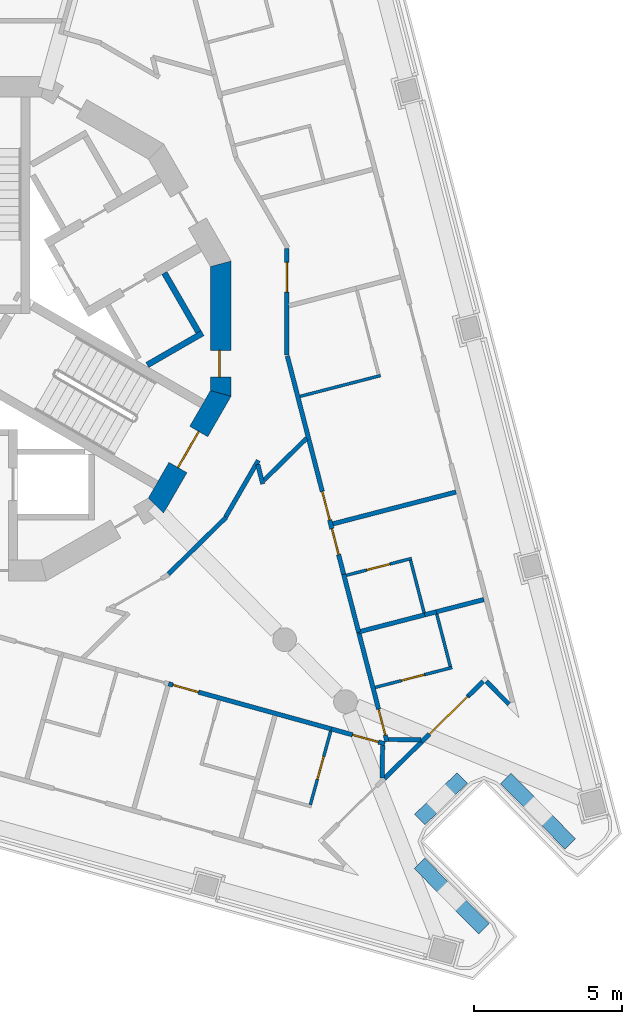
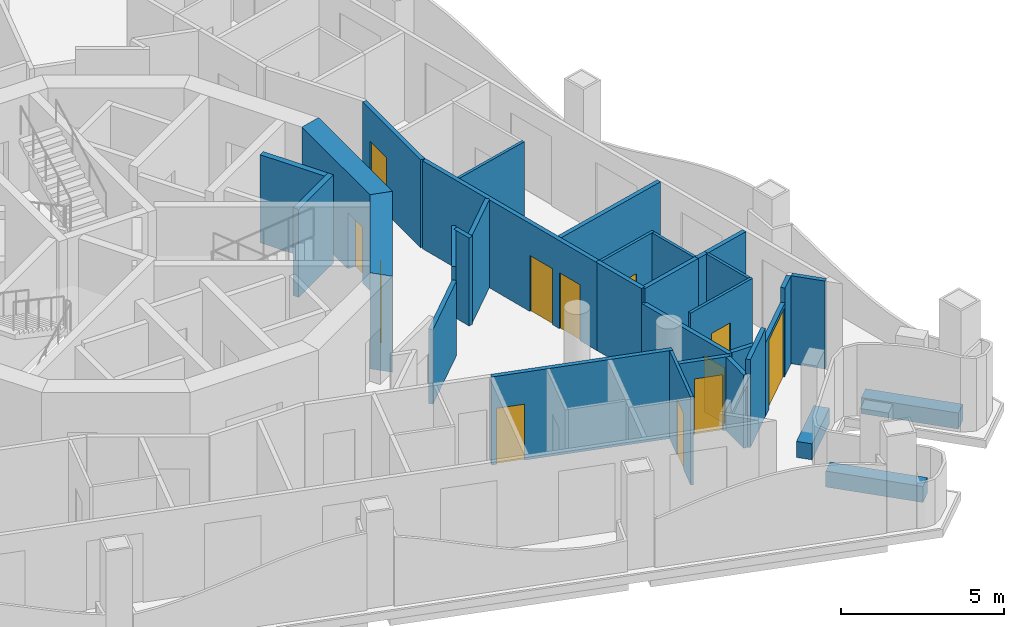
# One storey, part 6 of 14: 33 walls, 12 doors, 12 openings.
"""IFC4 building model written with IfcOpenShell, lengths in metres."""

from ifc_helpers import new_model, si_unit, direction, frame, frame_2d, origin, place, context, subcontext, project, spatial, polyline, rectangle, outline, extrude, material, layer, layer_set, type_object, element, fill, save


model = new_model("IFC4")

# Units and contexts
model_context = context("Model", 3, precision=1e-05, world=origin(), true_north=direction((0.0, 1.0)))
body_context = subcontext(model_context, "Body", "Model", "MODEL_VIEW")
ifc_project = project(units=[si_unit("LENGTHUNIT", "METRE"), si_unit("AREAUNIT", "SQUARE_METRE"), si_unit("VOLUMEUNIT", "CUBIC_METRE"), si_unit("PLANEANGLEUNIT", "RADIAN"), si_unit("MASSUNIT", "GRAM", prefix="KILO")], contexts=[model_context])

# Site, building, storey
site_placement = place(None, origin())
site = spatial("IfcSite", under=ifc_project, at=site_placement, CompositionType="ELEMENT")
building_placement = place(site_placement, origin())
building = spatial("IfcBuilding", under=site, at=building_placement, Name="Trine Commons Tower", CompositionType="ELEMENT")
storey_placement = place(building_placement, frame((0.0, 0.0, 245.699951171875)))
storey = spatial("IfcBuildingStorey", under=building, at=storey_placement, Name="L64", CompositionType="ELEMENT", Elevation=245.699951171875)

# Walls
ifc_material_1 = material(Name="Aluminium-framed insulated wall panel", Category="aluminium")
ifc_layer_1 = layer(ifc_material_1, 0.14990234375)
ifc_layer_set_1 = layer_set([ifc_layer_1], Name="Aluminium-framed insulated wall panel")
wall_type_1 = type_object("IfcWallType", Name="Glazed frame wall 150, EI 60", PredefinedType="SOLIDWALL", material=ifc_layer_set_1)
wall_1_placement = place(storey_placement, frame((97.966796875, 49.731201171875, 0.0), z_axis=(0.0, 0.0, 1.0), x_axis=(-0.700999978355, 0.71316129336, 0.0)))
element("IfcWall", 1, at=wall_1_placement, inside=storey, type_object=wall_type_1, Name="Glazed frame wall R6", PredefinedType="SOLIDWALL", context=body_context, shape_type="SweptSolid", body=[
    extrude(outline(polyline([(0.1494140625, 0.074951171875), (0.1494140625, -0.074951171875), (1.235107421875, -0.074951171875), (1.235107421875, 0.074951171875), (0.1494140625, 0.074951171875)])), origin(), (0.0, 0.0, 1.0), 3.300048828125),
])
wall_2_placement = place(storey_placement, frame((97.073486328125, 50.690185546875, 0.0), z_axis=(0.0, 0.0, 1.0), x_axis=(-0.713183853176, -0.700977026421, 0.0)))
element("IfcWall", 2, at=wall_2_placement, inside=storey, type_object=wall_type_1, Name="Glazed frame wall P2.1", PredefinedType="SOLIDWALL", context=body_context, shape_type="SweptSolid", body=[
    extrude(outline(polyline([(0.110107421875, -0.074951171875), (0.800048828125, -0.074951171875), (0.800048828125, 0.074951171875), (0.110107421875, 0.074951171875), (0.110107421875, -0.074951171875)])), origin(), (0.0, 0.0, 1.0), 3.300048828125),
])

# Wall, opening, door
wall_3_placement = place(storey_placement, frame((96.5029296875, 50.12939453125, 0.0), z_axis=(0.0, 0.0, 1.0), x_axis=(-0.713289197044, -0.70086983198, 0.0)))
wall_3 = element("IfcWall", 3, at=wall_3_placement, inside=storey, type_object=wall_type_1, Name="Glazed frame wall P2.2", PredefinedType="SOLIDWALL", context=body_context, shape_type="SweptSolid", body=[
    extrude(outline(polyline([(0.0, -0.074951171875), (2.221435546875, -0.074951171875), (2.221435546875, 0.074951171875), (0.0, 0.074951171875), (0.0, -0.074951171875)])), origin(), (0.0, 0.0, 1.0), 2.75),
])
opening_1_placement = place(wall_3_placement, frame((0.050048828125, 0.0, 0.0)))
opening_1 = element("IfcOpeningElement", 4, at=opening_1_placement, cuts=wall_3, Name="Opening BD-7P2-01", PredefinedType="OPENING", context=body_context, shape_type="SweptSolid", body=[
    extrude(rectangle(XDim=1.800048828125, YDim=2.60009765625, at=frame_2d((0.89990234375, 1.300048828125))), frame((0.0, 0.0849609375, 0.0), z_axis=(0.0, -1.0, 0.0), x_axis=(1.0, 0.0, 0.0)), (0.0, 0.0, 1.0), 0.169921875),
])
ifc_material_2 = material(Name="Anodised aluminium frame with double glazing", Category="aluminium")
door_type_1 = type_object("IfcDoorType", Name="Sliding loggia door 1800x2600", OperationType="SLIDING_TO_LEFT", PredefinedType="DOOR", material=ifc_material_2)
door_1_placement = place(opening_1_placement, origin())
door_1 = element("IfcDoor", 5, at=door_1_placement, inside=storey, type_object=door_type_1, Name="Loggia door P2 1", OperationType="SLIDING_TO_LEFT", OverallHeight=2.60009765625, OverallWidth=1.800048828125, PredefinedType="DOOR", context=body_context, shape_type="SweptSolid", body=[
    extrude(rectangle(XDim=1.800048828125, YDim=2.60009765625, at=frame_2d((0.89990234375, 1.300048828125))), frame((0.0, 0.02490234375, 0.0), z_axis=(0.0, -1.0, 0.0), x_axis=(1.0, 0.0, 0.0)), (0.0, 0.0, 1.0), 0.050048828125),
])
fill(opening_1, door_1)

# Walls
wall_4_placement = place(storey_placement, frame((94.91845703125, 48.572509765625, 0.0), z_axis=(0.0, 0.0, 1.0), x_axis=(-0.713193839807, -0.700966865737, 0.0)))
element("IfcWall", 6, at=wall_4_placement, inside=storey, type_object=wall_type_1, Name="Glazed frame wall P2.3", PredefinedType="SOLIDWALL", context=body_context, shape_type="SweptSolid", body=[
    extrude(outline(polyline([(0.0, -0.074951171875), (1.757080078125, -0.074951171875), (1.757080078125, 0.074951171875), (0.0, 0.074951171875), (0.0, -0.074951171875)])), origin(), (0.0, 0.0, 1.0), 3.300048828125),
])
ifc_material_3 = material(Name="Planter trough, precast concrete C40/50", Category="concrete")
ifc_layer_2 = layer(ifc_material_3, 0.5)
ifc_layer_set_2 = layer_set([ifc_layer_2], Name="Planter trough, precast concrete C40/50")
wall_type_2 = type_object("IfcWallType", Name="Planter trough 500x600", PredefinedType="PARAPET", material=ifc_layer_set_2)
wall_5_placement = place(storey_placement, frame((99.927734375, 45.1318359375, 0.0), z_axis=(0.0, 0.0, 1.0), x_axis=(-0.700897681372, 0.713261831481, 0.0)))
element("IfcWall", 7, at=wall_5_placement, inside=storey, type_object=wall_type_2, Name="Planter 7", PredefinedType="PARAPET", context=body_context, shape_type="SweptSolid", body=[
    extrude(rectangle(XDim=3.10009765625, YDim=0.5, at=frame_2d((1.550048828125, 0.0))), origin(), (0.0, 0.0, 1.0), 0.60009765625),
])
wall_6_placement = place(storey_placement, frame((96.2841796875, 47.355712890625, 0.0), z_axis=(0.0, 0.0, 1.0), x_axis=(-0.713305380591, -0.700853361282, 0.0)))
element("IfcWall", 8, at=wall_6_placement, inside=storey, type_object=wall_type_2, Name="Planter 8", PredefinedType="PARAPET", context=body_context, shape_type="SweptSolid", body=[
    extrude(rectangle(XDim=1.999755859375, YDim=0.5, at=frame_2d((1.0, 0.0))), origin(), (0.0, 0.0, 1.0), 0.60009765625),
])
wall_7_placement = place(storey_placement, frame((94.844970703125, 44.4833984375, 0.0), z_axis=(0.0, 0.0, 1.0), x_axis=(0.700857613291, -0.713301202784, 0.0)))
element("IfcWall", 9, at=wall_7_placement, inside=storey, type_object=wall_type_2, Name="Planter 9", PredefinedType="PARAPET", context=body_context, shape_type="SweptSolid", body=[
    extrude(rectangle(XDim=3.099853515625, YDim=0.5, at=frame_2d((1.5498046875, 0.0))), origin(), (0.0, 0.0, 1.0), 0.60009765625),
])

# Wall, opening, door
ifc_material_4 = material(Name="Concrete C50/60", Category="concrete")
ifc_layer_3 = layer(ifc_material_4, 0.699951171875)
ifc_layer_set_3 = layer_set([ifc_layer_3], Name="Concrete C50/60")
wall_type_3 = type_object("IfcWallType", Name="RC shear wall 700 mm, C50/60", PredefinedType="SHEAR", material=ifc_layer_set_3)
wall_8_placement = place(storey_placement, frame((88.150146484375, 60.222412109375, 0.0), z_axis=(0.0, 0.0, 1.0), x_axis=(0.0, 1.0, 0.0)))
wall_8 = element("IfcWall", 10, at=wall_8_placement, inside=storey, type_object=wall_type_3, Name="Core wall CWG-01 L64", PredefinedType="SHEAR", context=body_context, shape_type="SweptSolid", body=[
    extrude(outline(polyline([(0.0, -0.35009765625), (4.55517578125, -0.35009765625), (4.36767578125, 0.35009765625), (0.1875, 0.35009765625), (0.0, -0.35009765625)])), origin(), (0.0, 0.0, 1.0), 3.60009765625),
])
opening_2_placement = place(wall_8_placement, frame((0.6416015625, 0.0, 0.0)))
opening_2 = element("IfcOpeningElement", 11, at=opening_2_placement, cuts=wall_8, Name="Opening K16.17", PredefinedType="OPENING", context=body_context, shape_type="SweptSolid", body=[
    extrude(rectangle(XDim=0.89990234375, YDim=2.10009765625, at=frame_2d((0.449951171875, 1.050048828125))), frame((0.0, 0.35986328125, 0.0), z_axis=(0.0, -1.0, 0.0), x_axis=(1.0, 0.0, 0.0)), (0.0, 0.0, 1.0), 0.719970703125),
])
ifc_material_5 = material(Name="Steel door leaf, fire-rated", Category="steel")
door_type_2 = type_object("IfcDoorType", Name="Core room door, single leaf 900 x 2100, FD30S", OperationType="SINGLE_SWING_LEFT", PredefinedType="DOOR", material=ifc_material_5)
door_2_placement = place(opening_2_placement, origin())
door_2 = element("IfcDoor", 12, at=door_2_placement, inside=storey, type_object=door_type_2, Name="Door to Accessible WC L64", OperationType="SINGLE_SWING_LEFT", OverallHeight=2.10009765625, OverallWidth=0.89990234375, PredefinedType="DOOR", context=body_context, shape_type="SweptSolid", body=[
    extrude(rectangle(XDim=0.89990234375, YDim=2.10009765625, at=frame_2d((0.449951171875, 1.050048828125))), frame((0.0, 0.0751953125, 0.0), z_axis=(0.0, -1.0, 0.0), x_axis=(1.0, 0.0, 0.0)), (0.0, 0.0, 1.0), 0.050048828125),
])
fill(opening_2, door_2)

wall_9_placement = place(storey_placement, frame((85.91943359375, 56.452392578125, 0.0), z_axis=(0.0, 0.0, 1.0), x_axis=(0.499983800959, 0.866034756103, 0.0)))
wall_9 = element("IfcWall", 13, at=wall_9_placement, inside=storey, type_object=wall_type_3, Name="Core wall CWG-12 L64", PredefinedType="SHEAR", context=body_context, shape_type="SweptSolid", body=[
    extrude(outline(polyline([(0.0, -0.35009765625), (4.55517578125, -0.35009765625), (4.36767578125, 0.35009765625), (0.1875, 0.35009765625), (0.0, -0.35009765625)])), origin(), (0.0, 0.0, 1.0), 3.60009765625),
])
opening_3_placement = place(wall_9_placement, frame((1.577392578125, 0.0, 0.0)))
opening_3 = element("IfcOpeningElement", 14, at=opening_3_placement, cuts=wall_9, Name="Opening K16.03", PredefinedType="OPENING", context=body_context, shape_type="SweptSolid", body=[
    extrude(rectangle(XDim=1.39990234375, YDim=2.10009765625, at=frame_2d((0.699951171875, 1.050048828125))), frame((0.0, 0.35986328125, 0.0), z_axis=(0.0, -1.0, 0.0), x_axis=(1.0, 0.0, 0.0)), (0.0, 0.0, 1.0), 0.719970703125),
])
ifc_material_6 = material(Name="Steel door leaves, fire-rated", Category="steel")
door_type_3 = type_object("IfcDoorType", Name="Stair door, double leaf 1400 x 2100, FD90", OperationType="DOUBLE_DOOR_SINGLE_SWING", PredefinedType="DOOR", material=ifc_material_6)
door_3_placement = place(opening_3_placement, origin())
door_3 = element("IfcDoor", 15, at=door_3_placement, inside=storey, type_object=door_type_3, Name="Stair door to Exit stair ST3C L64", OperationType="DOUBLE_DOOR_SINGLE_SWING", OverallHeight=2.10009765625, OverallWidth=1.39990234375, PredefinedType="DOOR", context=body_context, shape_type="SweptSolid", body=[
    extrude(rectangle(XDim=1.39990234375, YDim=2.10009765625, at=frame_2d((0.699951171875, 1.050048828125))), frame((0.0, 0.02490234375, 0.0), z_axis=(0.0, -1.0, 0.0), x_axis=(1.0, 0.0, 0.0)), (0.0, 0.0, 1.0), 0.050048828125),
])
fill(opening_3, door_3)

# Walls
ifc_material_7 = material(Name="Fire-rated gypsum shaft wall system")
ifc_layer_4 = layer(ifc_material_7, 0.199951171875)
ifc_layer_set_4 = layer_set([ifc_layer_4], Name="Fire-rated gypsum shaft wall system")
wall_type_4 = type_object("IfcWallType", Name="Shaft wall 200 mm, EI 120", PredefinedType="PARTITIONING", material=ifc_layer_set_4)
wall_10_placement = place(storey_placement, frame((85.675048828125, 61.27392578125, 0.0), z_axis=(0.0, 0.0, 1.0), x_axis=(0.866102336459, 0.499866725018, 0.0)))
element("IfcWall", 16, at=wall_10_placement, inside=storey, type_object=wall_type_4, Name="Shaft wall L64", PredefinedType="PARTITIONING", context=body_context, shape_type="SweptSolid", body=[
    extrude(rectangle(XDim=2.1484375, YDim=0.199951171875, at=frame_2d((1.07421875, 0.0))), origin(), (0.0, 0.0, 1.0), 3.300048828125),
])
wall_11_placement = place(storey_placement, frame((86.2490234375, 64.3759765625, 0.0), z_axis=(0.0, 0.0, 1.0), x_axis=(0.500136062276, -0.86594683394, 0.0)))
element("IfcWall", 17, at=wall_11_placement, inside=storey, type_object=wall_type_4, Name="Shaft wall L64", PredefinedType="PARTITIONING", context=body_context, shape_type="SweptSolid", body=[
    extrude(rectangle(XDim=2.299072265625, YDim=0.199951171875, at=frame_2d((1.1494140625, 0.0))), origin(), (0.0, 0.0, 1.0), 3.300048828125),
])
ifc_material_8 = material(Name="Gypsum plasterboard on steel stud", Category="steel")
ifc_layer_5 = layer(ifc_material_8, 0.14990234375)
ifc_layer_set_5 = layer_set([ifc_layer_5], Name="Gypsum plasterboard on steel stud")
wall_type_5 = type_object("IfcWallType", Name="Unit and corridor wall 150 mm, EI 60", PredefinedType="PARTITIONING", material=ifc_layer_set_5)
wall_12_placement = place(storey_placement, frame((86.384521484375, 54.2275390625, 0.0), z_axis=(0.0, 0.0, 1.0), x_axis=(0.713113779806, 0.701048312922, 0.0)))
element("IfcWall", 18, at=wall_12_placement, inside=storey, type_object=wall_type_5, Name="Partition 070", PredefinedType="PARTITIONING", context=body_context, shape_type="SweptSolid", body=[
    extrude(rectangle(XDim=2.731689453125, YDim=0.14990234375, at=frame_2d((1.36572265625, 0.0))), origin(), (0.0, 0.0, 1.0), 2.800048828125),
])

# Wall, opening, door
wall_13_placement = place(storey_placement, frame((86.39111328125, 50.529052734375, 0.0), z_axis=(0.0, 0.0, 1.0), x_axis=(0.963638337946, -0.267209943005, 0.0)))
wall_13 = element("IfcWall", 19, at=wall_13_placement, inside=storey, type_object=wall_type_5, Name="Partition 071", PredefinedType="PARTITIONING", context=body_context, shape_type="SweptSolid", body=[
    extrude(rectangle(XDim=5.74609375, YDim=0.14990234375, at=frame_2d((2.873046875, 0.0))), origin(), (0.0, 0.0, 1.0), 3.300048828125),
])
opening_4_placement = place(wall_13_placement, frame((0.14990234375, 0.0, 0.0)))
opening_4 = element("IfcOpeningElement", 20, at=opening_4_placement, cuts=wall_13, Name="Opening D-7B17", PredefinedType="OPENING", context=body_context, shape_type="SweptSolid", body=[
    extrude(rectangle(XDim=0.89990234375, YDim=2.10009765625, at=frame_2d((0.449951171875, 1.050048828125))), frame((0.0, 0.0849609375, 0.0), z_axis=(0.0, -1.0, 0.0), x_axis=(1.0, 0.0, 0.0)), (0.0, 0.0, 1.0), 0.169921875),
])
ifc_material_9 = material(Name="Timber fire door set", Category="wood")
door_type_4 = type_object("IfcDoorType", Name="Bedroom door 900 x 2100, FD30S", OperationType="NOTDEFINED", PredefinedType="DOOR", material=ifc_material_9)
door_4_placement = place(opening_4_placement, frame((0.89990234375, 0.0, 0.0), z_axis=(0.0, 0.0, 1.0), x_axis=(-1.0, 0.0, 0.0)))
door_4 = element("IfcDoor", 21, at=door_4_placement, inside=storey, type_object=door_type_4, Name="Door D-7B17", OperationType="SINGLE_SWING_RIGHT", OverallHeight=2.10009765625, OverallWidth=0.89990234375, PredefinedType="DOOR", context=body_context, shape_type="SweptSolid", body=[
    extrude(rectangle(XDim=0.89990234375, YDim=2.10009765625, at=frame_2d((0.449951171875, 1.050048828125))), frame((0.0, 0.02490234375, 0.0), z_axis=(0.0, -1.0, 0.0), x_axis=(1.0, 0.0, 0.0)), (0.0, 0.0, 1.0), 0.050048828125),
])
fill(opening_4, door_4)

# Walls
wall_14_placement = place(storey_placement, frame((88.31640625, 56.15478515625, 0.0), z_axis=(0.0, 0.0, 1.0), x_axis=(0.500129524705, 0.865950609745, 0.0)))
element("IfcWall", 22, at=wall_14_placement, inside=storey, type_object=wall_type_5, Name="Partition 080", PredefinedType="PARTITIONING", context=body_context, shape_type="SweptSolid", body=[
    extrude(rectangle(XDim=2.19775390625, YDim=0.14990234375, at=frame_2d((1.098876953125, 0.0))), origin(), (0.0, 0.0, 1.0), 3.300048828125),
])
wall_15_placement = place(storey_placement, frame((89.396728515625, 57.92041015625, 0.0), z_axis=(0.0, 0.0, 1.0), x_axis=(0.249398389606, -0.968400972357, 0.0)))
element("IfcWall", 23, at=wall_15_placement, inside=storey, type_object=wall_type_5, Name="Partition 087", PredefinedType="PARTITIONING", context=body_context, shape_type="SweptSolid", body=[
    extrude(rectangle(XDim=0.677490234375, YDim=0.14990234375, at=frame_2d((0.3388671875, 0.0))), origin(), (0.0, 0.0, 1.0), 3.300048828125),
])
wall_16_placement = place(storey_placement, frame((89.60546875, 57.3896484375, 0.0), z_axis=(0.0, 0.0, 1.0), x_axis=(0.713082264155, 0.701080369535, 0.0)))
element("IfcWall", 24, at=wall_16_placement, inside=storey, type_object=wall_type_5, Name="Partition 092", PredefinedType="PARTITIONING", context=body_context, shape_type="SweptSolid", body=[
    extrude(rectangle(XDim=2.013916015625, YDim=0.14990234375, at=frame_2d((1.0068359375, 0.0))), origin(), (0.0, 0.0, 1.0), 3.300048828125),
])

# Wall, opening, door
wall_17_placement = place(storey_placement, frame((90.375, 61.616943359375, 0.0), z_axis=(0.0, 0.0, 1.0), x_axis=(0.0, 1.0, 0.0)))
wall_17 = element("IfcWall", 25, at=wall_17_placement, inside=storey, type_object=wall_type_5, Name="Partition 093", PredefinedType="PARTITIONING", context=body_context, shape_type="SweptSolid", body=[
    extrude(rectangle(XDim=3.588134765625, YDim=0.14990234375, at=frame_2d((1.7939453125, 0.0))), origin(), (0.0, 0.0, 1.0), 3.300048828125),
])
opening_5_placement = place(wall_17_placement, frame((2.110595703125, 0.0, 0.0)))
opening_5 = element("IfcOpeningElement", 26, at=opening_5_placement, cuts=wall_17, Name="Opening D-7B12", PredefinedType="OPENING", context=body_context, shape_type="SweptSolid", body=[
    extrude(rectangle(XDim=1.0, YDim=2.10009765625, at=frame_2d((0.5, 1.050048828125))), frame((0.0, 0.0849609375, 0.0), z_axis=(0.0, -1.0, 0.0), x_axis=(1.0, 0.0, 0.0)), (0.0, 0.0, 1.0), 0.169921875),
])
ifc_material_10 = material(Name="Painted timber", Category="wood")
door_type_5 = type_object("IfcDoorType", Name="Amenity room door 1000 x 2100, NOT RATED", OperationType="NOTDEFINED", PredefinedType="DOOR", material=ifc_material_10)
door_5_placement = place(opening_5_placement, frame((1.0, 0.0, 0.0), z_axis=(0.0, 0.0, 1.0), x_axis=(-1.0, 0.0, 0.0)))
door_5 = element("IfcDoor", 27, at=door_5_placement, inside=storey, type_object=door_type_5, Name="Door D-7B12", OperationType="SINGLE_SWING_LEFT", OverallHeight=2.10009765625, OverallWidth=1.0, PredefinedType="DOOR", context=body_context, shape_type="SweptSolid", body=[
    extrude(rectangle(XDim=1.0, YDim=2.10009765625, at=frame_2d((0.5, 1.050048828125))), frame((0.0, 0.02490234375, 0.0), z_axis=(0.0, -1.0, 0.0), x_axis=(1.0, 0.0, 0.0)), (0.0, 0.0, 1.0), 0.050048828125),
])
fill(opening_5, door_5)

# Wall, openings, doors
wall_18_placement = place(storey_placement, frame((90.39208984375, 61.576904296875, 0.0), z_axis=(0.0, 0.0, 1.0), x_axis=(0.250037106066, -0.968236255048, 0.0)))
wall_18 = element("IfcWall", 28, at=wall_18_placement, inside=storey, type_object=wall_type_5, Name="Partition 095", PredefinedType="PARTITIONING", context=body_context, shape_type="SweptSolid", body=[
    extrude(rectangle(XDim=7.657958984375, YDim=0.14990234375, at=frame_2d((3.8291015625, 0.0))), origin(), (0.0, 0.0, 1.0), 3.300048828125),
])
opening_6_placement = place(wall_18_placement, frame((4.7119140625, 0.0, 0.0)))
opening_6 = element("IfcOpeningElement", 29, at=opening_6_placement, cuts=wall_18, Name="Opening D-7B13", PredefinedType="OPENING", context=body_context, shape_type="SweptSolid", body=[
    extrude(rectangle(XDim=1.0, YDim=2.10009765625, at=frame_2d((0.5, 1.050048828125))), frame((0.0, 0.0849609375, 0.0), z_axis=(0.0, -1.0, 0.0), x_axis=(1.0, 0.0, 0.0)), (0.0, 0.0, 1.0), 0.169921875),
])
opening_7_placement = place(wall_18_placement, frame((6.011962890625, 0.0, 0.0)))
opening_7 = element("IfcOpeningElement", 30, at=opening_7_placement, cuts=wall_18, Name="Opening D-7B14", PredefinedType="OPENING", context=body_context, shape_type="SweptSolid", body=[
    extrude(rectangle(XDim=0.89990234375, YDim=2.10009765625, at=frame_2d((0.449951171875, 1.050048828125))), frame((0.0, 0.0849609375, 0.0), z_axis=(0.0, -1.0, 0.0), x_axis=(1.0, 0.0, 0.0)), (0.0, 0.0, 1.0), 0.169921875),
])
door_type_6 = type_object("IfcDoorType", Name="Bedroom door 1000 x 2100, FD30S", OperationType="NOTDEFINED", PredefinedType="DOOR", material=ifc_material_9)
door_6_placement = place(opening_6_placement, origin())
door_6 = element("IfcDoor", 31, at=door_6_placement, inside=storey, type_object=door_type_6, Name="Door D-7B13", OperationType="SINGLE_SWING_RIGHT", OverallHeight=2.10009765625, OverallWidth=1.0, PredefinedType="DOOR", context=body_context, shape_type="SweptSolid", body=[
    extrude(rectangle(XDim=1.0, YDim=2.10009765625, at=frame_2d((0.5, 1.050048828125))), frame((0.0, 0.02490234375, 0.0), z_axis=(0.0, -1.0, 0.0), x_axis=(1.0, 0.0, 0.0)), (0.0, 0.0, 1.0), 0.050048828125),
])
fill(opening_6, door_6)
door_7_placement = place(opening_7_placement, origin())
door_7 = element("IfcDoor", 32, at=door_7_placement, inside=storey, type_object=door_type_4, Name="Door D-7B14", OperationType="SINGLE_SWING_RIGHT", OverallHeight=2.10009765625, OverallWidth=0.89990234375, PredefinedType="DOOR", context=body_context, shape_type="SweptSolid", body=[
    extrude(rectangle(XDim=0.89990234375, YDim=2.10009765625, at=frame_2d((0.449951171875, 1.050048828125))), frame((0.0, 0.02490234375, 0.0), z_axis=(0.0, -1.0, 0.0), x_axis=(1.0, 0.0, 0.0)), (0.0, 0.0, 1.0), 0.050048828125),
])
fill(opening_7, door_7)

# Wall
wall_19_placement = place(storey_placement, frame((91.9296875, 55.919921875, 0.0), z_axis=(0.0, 0.0, 1.0), x_axis=(0.968143339783, 0.250396632634, 0.0)))
element("IfcWall", 33, at=wall_19_placement, inside=storey, type_object=wall_type_5, Name="Partition 100", PredefinedType="PARTITIONING", context=body_context, shape_type="SweptSolid", body=[
    extrude(rectangle(XDim=4.28515625, YDim=0.14990234375, at=frame_2d((2.142578125, 0.0))), origin(), (0.0, 0.0, 1.0), 3.300048828125),
])

# Wall, opening, door
wall_20_placement = place(storey_placement, frame((91.8720703125, 49.009033203125, 0.0), z_axis=(0.0, 0.0, 1.0), x_axis=(0.963678404511, -0.26706540899, 0.0)))
wall_20 = element("IfcWall", 34, at=wall_20_placement, inside=storey, type_object=wall_type_5, Name="Partition 101", PredefinedType="PARTITIONING", context=body_context, shape_type="SweptSolid", body=[
    extrude(rectangle(XDim=1.872314453125, YDim=0.14990234375, at=frame_2d((0.93603515625, 0.0))), origin(), (0.0, 0.0, 1.0), 2.75),
])
opening_8_placement = place(wall_20_placement, frame((0.747314453125, 0.0, 0.0)))
opening_8 = element("IfcOpeningElement", 35, at=opening_8_placement, cuts=wall_20, Name="Opening D-7B16", PredefinedType="OPENING", context=body_context, shape_type="SweptSolid", body=[
    extrude(rectangle(XDim=0.89990234375, YDim=2.10009765625, at=frame_2d((0.449951171875, 1.050048828125))), frame((0.0, 0.0849609375, 0.0), z_axis=(0.0, -1.0, 0.0), x_axis=(1.0, 0.0, 0.0)), (0.0, 0.0, 1.0), 0.169921875),
])
door_8_placement = place(opening_8_placement, frame((0.89990234375, 0.0, 0.0), z_axis=(0.0, 0.0, 1.0), x_axis=(-1.0, 0.0, 0.0)))
door_8 = element("IfcDoor", 36, at=door_8_placement, inside=storey, type_object=door_type_4, Name="Door D-7B16", OperationType="SINGLE_SWING_LEFT", OverallHeight=2.10009765625, OverallWidth=0.89990234375, PredefinedType="DOOR", context=body_context, shape_type="SweptSolid", body=[
    extrude(rectangle(XDim=0.89990234375, YDim=2.10009765625, at=frame_2d((0.449951171875, 1.050048828125))), frame((0.0, 0.02490234375, 0.0), z_axis=(0.0, -1.0, 0.0), x_axis=(1.0, 0.0, 0.0)), (0.0, 0.0, 1.0), 0.050048828125),
])
fill(opening_8, door_8)

# Wall
wall_21_placement = place(storey_placement, frame((92.29248046875, 54.218505859375, 0.0), z_axis=(0.0, 0.0, 1.0), x_axis=(0.250620480833, -0.968085416989, 0.0)))
element("IfcWall", 37, at=wall_21_placement, inside=storey, type_object=wall_type_5, Name="Partition 102", PredefinedType="PARTITIONING", context=body_context, shape_type="SweptSolid", body=[
    extrude(rectangle(XDim=2.0087890625, YDim=0.14990234375, at=frame_2d((1.00439453125, 0.0))), origin(), (0.0, 0.0, 1.0), 3.300048828125),
])

# Wall, opening, door
wall_22_placement = place(storey_placement, frame((92.7939453125, 52.281982421875, 0.0), z_axis=(0.0, 0.0, 1.0), x_axis=(0.250312632004, -0.968165061474, 0.0)))
wall_22 = element("IfcWall", 38, at=wall_22_placement, inside=storey, type_object=wall_type_5, Name="Partition 106", PredefinedType="PARTITIONING", context=body_context, shape_type="SweptSolid", body=[
    extrude(rectangle(XDim=3.822265625, YDim=0.14990234375, at=frame_2d((1.9111328125, 0.0))), origin(), (0.0, 0.0, 1.0), 2.75),
])
opening_9_placement = place(wall_22_placement, frame((2.697265625, 0.0, 0.0)))
opening_9 = element("IfcOpeningElement", 39, at=opening_9_placement, cuts=wall_22, Name="Opening D-7B15", PredefinedType="OPENING", context=body_context, shape_type="SweptSolid", body=[
    extrude(rectangle(XDim=0.89990234375, YDim=2.10009765625, at=frame_2d((0.449951171875, 1.050048828125))), frame((0.0, 0.0849609375, 0.0), z_axis=(0.0, -1.0, 0.0), x_axis=(1.0, 0.0, 0.0)), (0.0, 0.0, 1.0), 0.169921875),
])
door_9_placement = place(opening_9_placement, origin())
door_9 = element("IfcDoor", 40, at=door_9_placement, inside=storey, type_object=door_type_4, Name="Door D-7B15", OperationType="SINGLE_SWING_RIGHT", OverallHeight=2.10009765625, OverallWidth=0.89990234375, PredefinedType="DOOR", context=body_context, shape_type="SweptSolid", body=[
    extrude(rectangle(XDim=0.89990234375, YDim=2.10009765625, at=frame_2d((0.449951171875, 1.050048828125))), frame((0.0, 0.02490234375, 0.0), z_axis=(0.0, -1.0, 0.0), x_axis=(1.0, 0.0, 0.0)), (0.0, 0.0, 1.0), 0.050048828125),
])
fill(opening_9, door_9)

# Walls
wall_23_placement = place(storey_placement, frame((92.794921875, 52.278076171875, 0.0), z_axis=(0.0, 0.0, 1.0), x_axis=(0.968123831928, 0.250472046449, 0.0)))
element("IfcWall", 41, at=wall_23_placement, inside=storey, type_object=wall_type_5, Name="Partition 107", PredefinedType="PARTITIONING", context=body_context, shape_type="SweptSolid", body=[
    extrude(rectangle(XDim=2.29931640625, YDim=0.14990234375, at=frame_2d((1.149658203125, 0.0))), origin(), (0.0, 0.0, 1.0), 3.300048828125),
])
for number, where, z_axis, x_axis, name in (
    (42, (93.589599609375, 47.35595703125, 0.0), (0.0, 0.0, 1.0), (0.012226742726, 0.999925250587, 0.0), "Partition 109"),
    (43, (93.806884765625, 48.653564453125, 0.0), (0.0, 0.0, 1.0), (0.999983294214, -0.005780250256, 0.0), "Partition 110"),
):
    element("IfcWall", number, at=place(storey_placement, frame(where, z_axis=z_axis, x_axis=x_axis)), inside=storey, type_object=wall_type_5, Name=name, PredefinedType="PARTITIONING", context=body_context, shape_type="SweptSolid", body=[
        extrude(rectangle(XDim=1.09814453125, YDim=0.14990234375, at=frame_2d((0.549072265625, 0.0))), origin(), (0.0, 0.0, 1.0), 2.75),
    ])
wall_24_placement = place(storey_placement, frame((95.02099609375, 52.85400390625, 0.0), z_axis=(0.0, 0.0, 1.0), x_axis=(0.968343173742, 0.249622711039, 0.0)))
element("IfcWall", 44, at=wall_24_placement, inside=storey, type_object=wall_type_5, Name="Partition 112", PredefinedType="PARTITIONING", context=body_context, shape_type="SweptSolid", body=[
    extrude(rectangle(XDim=0.405029296875, YDim=0.14990234375, at=frame_2d((0.20263671875, 0.0))), origin(), (0.0, 0.0, 1.0), 3.300048828125),
])
wall_25_placement = place(storey_placement, frame((95.405029296875, 52.952880859375, 0.0), z_axis=(0.0, 0.0, 1.0), x_axis=(0.968213134731, 0.250126619403, 0.0)))
element("IfcWall", 45, at=wall_25_placement, inside=storey, type_object=wall_type_5, Name="Partition 113", PredefinedType="PARTITIONING", context=body_context, shape_type="SweptSolid", body=[
    extrude(rectangle(XDim=1.663330078125, YDim=0.14990234375, at=frame_2d((0.83154296875, 0.0))), origin(), (0.0, 0.0, 1.0), 3.300048828125),
])
ifc_layer_6 = layer(ifc_material_8, 0.10009765625)
ifc_layer_set_6 = layer_set([ifc_layer_6], Name="Gypsum plasterboard on steel stud")
wall_type_6 = type_object("IfcWallType", Name="Unit partition 100 mm, no rating", PredefinedType="PARTITIONING", material=ifc_layer_set_6)
wall_26_placement = place(storey_placement, frame((90.819580078125, 60.21484375, 0.0), z_axis=(0.0, 0.0, 1.0), x_axis=(0.96814254182, 0.25039971789, 0.0)))
element("IfcWall", 46, at=wall_26_placement, inside=storey, type_object=wall_type_6, Name="Partition 096", PredefinedType="PARTITIONING", context=body_context, shape_type="SweptSolid", body=[
    extrude(rectangle(XDim=2.80224609375, YDim=0.10009765625, at=frame_2d((1.401123046875, 0.0))), origin(), (0.0, 0.0, 1.0), 3.300048828125),
])

# Wall, opening, door
wall_27_placement = place(storey_placement, frame((91.16845703125, 46.4541015625, 0.0), z_axis=(0.0, 0.0, 1.0), x_axis=(0.266973908606, 0.96370375745, 0.0)))
wall_27 = element("IfcWall", 47, at=wall_27_placement, inside=storey, type_object=wall_type_6, Name="Partition 098", PredefinedType="PARTITIONING", context=body_context, shape_type="SweptSolid", body=[
    extrude(rectangle(XDim=2.5751953125, YDim=0.10009765625, at=frame_2d((1.28759765625, 0.0))), origin(), (0.0, 0.0, 1.0), 3.300048828125),
])
opening_10_placement = place(wall_27_placement, frame((0.8876953125, 0.0, 0.0)))
opening_10 = element("IfcOpeningElement", 48, at=opening_10_placement, cuts=wall_27, Name="Opening D-7B35", PredefinedType="OPENING", context=body_context, shape_type="SweptSolid", body=[
    extrude(rectangle(XDim=0.800048828125, YDim=2.10009765625, at=frame_2d((0.39990234375, 1.050048828125))), frame((0.0, 0.06005859375, 0.0), z_axis=(0.0, -1.0, 0.0), x_axis=(1.0, 0.0, 0.0)), (0.0, 0.0, 1.0), 0.1201171875),
])
door_type_7 = type_object("IfcDoorType", Name="Internal door 800 x 2100, NOT RATED", OperationType="NOTDEFINED", PredefinedType="DOOR", material=ifc_material_10)
door_10_placement = place(opening_10_placement, frame((0.800048828125, 0.0, 0.0), z_axis=(0.0, 0.0, 1.0), x_axis=(-1.0, 0.0, 0.0)))
door_10 = element("IfcDoor", 49, at=door_10_placement, inside=storey, type_object=door_type_7, Name="Door D-7B35", OperationType="SINGLE_SWING_LEFT", OverallHeight=2.10009765625, OverallWidth=0.800048828125, PredefinedType="DOOR", context=body_context, shape_type="SweptSolid", body=[
    extrude(rectangle(XDim=0.800048828125, YDim=2.10009765625, at=frame_2d((0.39990234375, 1.050048828125))), frame((0.0, 0.02490234375, 0.0), z_axis=(0.0, -1.0, 0.0), x_axis=(1.0, 0.0, 0.0)), (0.0, 0.0, 1.0), 0.050048828125),
])
fill(opening_10, door_10)

wall_28_placement = place(storey_placement, frame((92.378662109375, 54.184814453125, 0.0), z_axis=(0.0, 0.0, 1.0), x_axis=(0.968154087165, 0.250355074856, 0.0)))
wall_28 = element("IfcWall", 50, at=wall_28_placement, inside=storey, type_object=wall_type_6, Name="Partition 103", PredefinedType="PARTITIONING", context=body_context, shape_type="SweptSolid", body=[
    extrude(rectangle(XDim=2.275146484375, YDim=0.10009765625, at=frame_2d((1.1376953125, 0.0))), origin(), (0.0, 0.0, 1.0), 3.300048828125),
])
opening_11_placement = place(wall_28_placement, frame((0.712646484375, 0.0, 0.0)))
opening_11 = element("IfcOpeningElement", 51, at=opening_11_placement, cuts=wall_28, Name="Opening D-7B33", PredefinedType="OPENING", context=body_context, shape_type="SweptSolid", body=[
    extrude(rectangle(XDim=0.800048828125, YDim=2.10009765625, at=frame_2d((0.39990234375, 1.050048828125))), frame((0.0, 0.06005859375, 0.0), z_axis=(0.0, -1.0, 0.0), x_axis=(1.0, 0.0, 0.0)), (0.0, 0.0, 1.0), 0.1201171875),
])
door_11_placement = place(opening_11_placement, origin())
door_11 = element("IfcDoor", 52, at=door_11_placement, inside=storey, type_object=door_type_7, Name="Door D-7B33", OperationType="SINGLE_SWING_LEFT", OverallHeight=2.10009765625, OverallWidth=0.800048828125, PredefinedType="DOOR", context=body_context, shape_type="SweptSolid", body=[
    extrude(rectangle(XDim=0.800048828125, YDim=2.10009765625, at=frame_2d((0.39990234375, 1.050048828125))), frame((0.0, 0.02490234375, 0.0), z_axis=(0.0, -1.0, 0.0), x_axis=(1.0, 0.0, 0.0)), (0.0, 0.0, 1.0), 0.050048828125),
])
fill(opening_11, door_11)

wall_29_placement = place(storey_placement, frame((93.355712890625, 50.40869140625, 0.0), z_axis=(0.0, 0.0, 1.0), x_axis=(0.968128980119, 0.250452146832, 0.0)))
wall_29 = element("IfcWall", 53, at=wall_29_placement, inside=storey, type_object=wall_type_6, Name="Partition 108", PredefinedType="PARTITIONING", context=body_context, shape_type="SweptSolid", body=[
    extrude(rectangle(XDim=2.6748046875, YDim=0.10009765625, at=frame_2d((1.33740234375, 0.0))), origin(), (0.0, 0.0, 1.0), 3.300048828125),
])
opening_12_placement = place(wall_29_placement, frame((0.91259765625, 0.0, 0.0)))
opening_12 = element("IfcOpeningElement", 54, at=opening_12_placement, cuts=wall_29, Name="Opening D-7B34", PredefinedType="OPENING", context=body_context, shape_type="SweptSolid", body=[
    extrude(rectangle(XDim=0.800048828125, YDim=2.10009765625, at=frame_2d((0.39990234375, 1.050048828125))), frame((0.0, 0.06005859375, 0.0), z_axis=(0.0, -1.0, 0.0), x_axis=(1.0, 0.0, 0.0)), (0.0, 0.0, 1.0), 0.1201171875),
])
door_12_placement = place(opening_12_placement, frame((0.800048828125, 0.0, 0.0), z_axis=(0.0, 0.0, 1.0), x_axis=(-1.0, 0.0, 0.0)))
door_12 = element("IfcDoor", 55, at=door_12_placement, inside=storey, type_object=door_type_7, Name="Door D-7B34", OperationType="SINGLE_SWING_RIGHT", OverallHeight=2.10009765625, OverallWidth=0.800048828125, PredefinedType="DOOR", context=body_context, shape_type="SweptSolid", body=[
    extrude(rectangle(XDim=0.800048828125, YDim=2.10009765625, at=frame_2d((0.39990234375, 1.050048828125))), frame((0.0, 0.02490234375, 0.0), z_axis=(0.0, -1.0, 0.0), x_axis=(1.0, 0.0, 0.0)), (0.0, 0.0, 1.0), 0.050048828125),
])
fill(opening_12, door_12)

# Walls
wall_30_placement = place(storey_placement, frame((94.54541015625, 54.693603515625, 0.0), z_axis=(0.0, 0.0, 1.0), x_axis=(0.250270413218, -0.968175975878, 0.0)))
element("IfcWall", 56, at=wall_30_placement, inside=storey, type_object=wall_type_6, Name="Partition 111", PredefinedType="PARTITIONING", context=body_context, shape_type="SweptSolid", body=[
    extrude(rectangle(XDim=1.8251953125, YDim=0.10009765625, at=frame_2d((0.91259765625, 0.0))), origin(), (0.0, 0.0, 1.0), 3.300048828125),
])
wall_31_placement = place(storey_placement, frame((95.427734375, 52.88134765625, 0.0), z_axis=(0.0, 0.0, 1.0), x_axis=(0.250302828805, -0.968167595973, 0.0)))
element("IfcWall", 57, at=wall_31_placement, inside=storey, type_object=wall_type_6, Name="Partition 114", PredefinedType="PARTITIONING", context=body_context, shape_type="SweptSolid", body=[
    extrude(rectangle(XDim=1.824951171875, YDim=0.10009765625, at=frame_2d((0.91259765625, 0.0))), origin(), (0.0, 0.0, 1.0), 3.300048828125),
])

save(model, "model.ifc")
